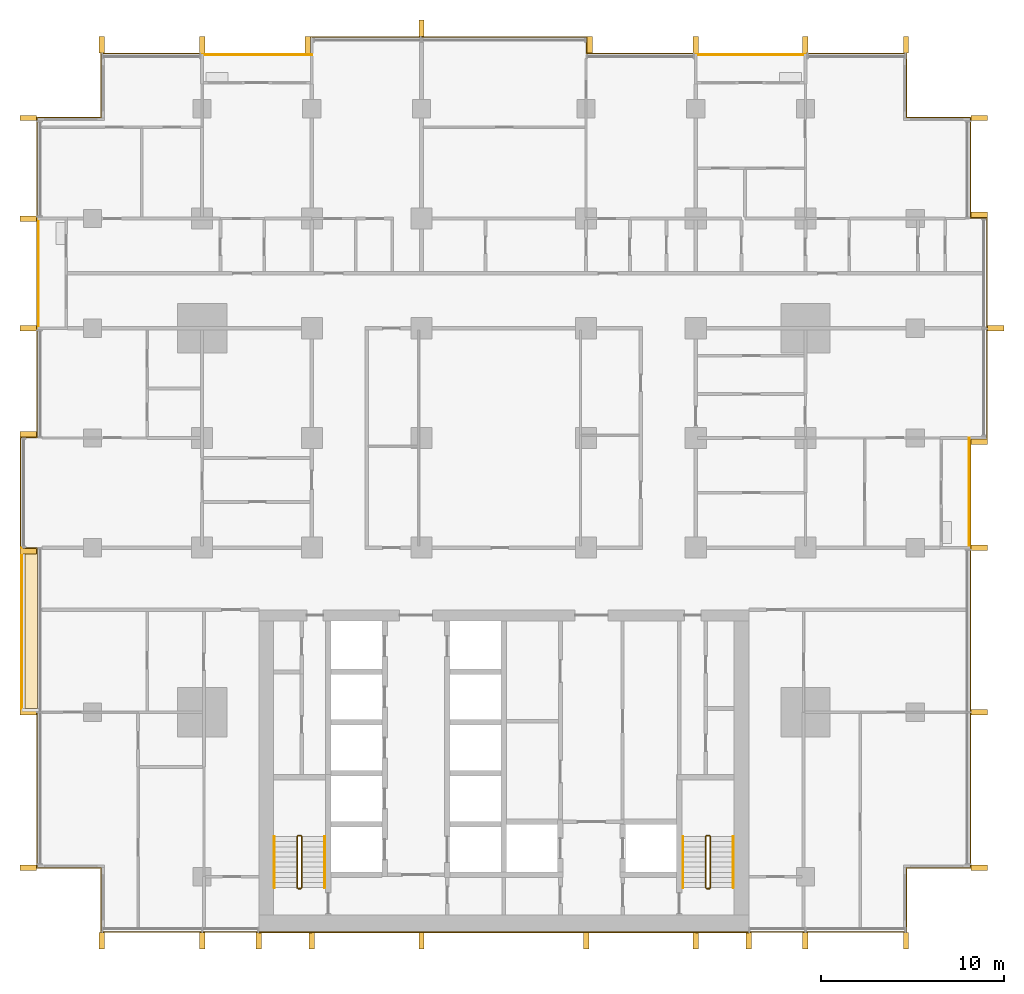
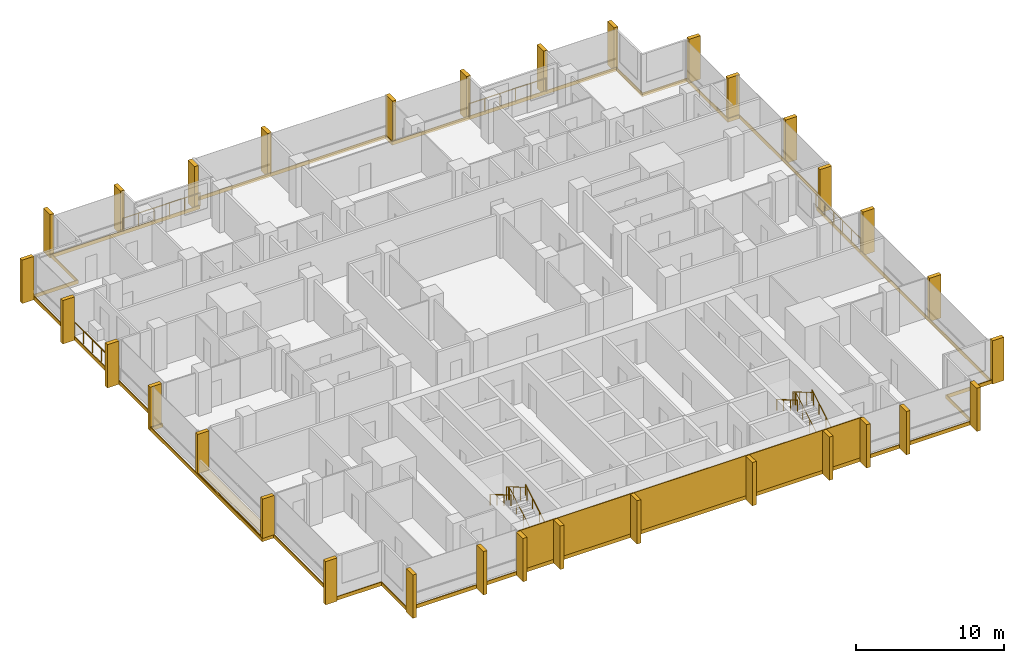
# One storey, part 18 of 18: 32 shading devices, 10 railings, 8 coverings.
"""IFC4 building model written with IfcOpenShell, lengths in metres."""

from ifc_helpers import new_model, si_unit, direction, frame, origin, origin_2d, place, context, subcontext, project, spatial, polyline, rectangle, circle, outline, extrude, material, layer, layer_set, type_object, element, save


model = new_model("IFC4")

# Units and contexts
model_context = context("Model", 3, precision=1e-05, world=origin(), true_north=direction((0.0, 1.0)))
body_context = subcontext(model_context, "Body", "Model", "MODEL_VIEW")
ifc_project = project(units=[si_unit("LENGTHUNIT", "METRE"), si_unit("AREAUNIT", "SQUARE_METRE"), si_unit("VOLUMEUNIT", "CUBIC_METRE"), si_unit("PLANEANGLEUNIT", "RADIAN"), si_unit("MASSUNIT", "GRAM", prefix="KILO")], contexts=[model_context])

# Site, building, storey
site_placement = place(None, origin())
site = spatial("IfcSite", under=ifc_project, at=site_placement, CompositionType="ELEMENT")
building_placement = place(site_placement, origin())
building = spatial("IfcBuilding", under=site, at=building_placement, Name="Finial Court Residences", CompositionType="ELEMENT")
storey_placement = place(building_placement, frame((0.0, 0.0, 106.300048828125)))
storey = spatial("IfcBuildingStorey", under=building, at=storey_placement, Name="L26", CompositionType="ELEMENT", Elevation=106.300048828125)

# Railings
ifc_material_1 = material(Name="Bronze anodised aluminium", Category="aluminium")
railing_type_1 = type_object("IfcRailingType", Name="Balcony guard 1100", PredefinedType="GUARDRAIL", material=ifc_material_1)
for number, where, name in (
    (1, (-16.5, 22.449951171875, 0.0), "E-L26-BALN2-R"),
    (2, (10.5, 22.449951171875, 0.0), "E-L26-BALN6-R"),
):
    element("IfcRailing", number, at=place(storey_placement, frame(where)), inside=storey, type_object=railing_type_1, Name=name, PredefinedType="GUARDRAIL", context=body_context, shape_type="SweptSolid", body=[
        extrude(circle(Radius=0.02392578125, at=origin_2d()), frame((0.0, 0.0, 1.076171875), z_axis=(1.0, 0.0, 0.0), x_axis=(0.0, 1.0, 0.0)), (0.0, 0.0, 1.0), 6.0),
        extrude(circle(Radius=0.02099609375, at=origin_2d()), origin(), (0.0, 0.0, 1.0), 1.052001953125),
        extrude(circle(Radius=0.02099609375, at=origin_2d()), frame((1.199951171875, 0.0, 0.0)), (0.0, 0.0, 1.0), 1.052001953125),
        extrude(circle(Radius=0.02099609375, at=origin_2d()), frame((2.39990234375, 0.0, 0.0)), (0.0, 0.0, 1.0), 1.052001953125),
        extrude(circle(Radius=0.02099609375, at=origin_2d()), frame((3.60009765625, 0.0, 0.0)), (0.0, 0.0, 1.0), 1.052001953125),
        extrude(circle(Radius=0.02099609375, at=origin_2d()), frame((4.800048828125, 0.0, 0.0)), (0.0, 0.0, 1.0), 1.052001953125),
        extrude(circle(Radius=0.02099609375, at=origin_2d()), frame((6.0, 0.0, 0.0)), (0.0, 0.0, 1.0), 1.052001953125),
    ])
for number, where, name in (
    (3, (25.449951171875, -4.5, 0.0), "E-L26-BALE3-R"),
    (4, (-25.449951171875, 7.5, 0.0), "E-L26-BALW5-R"),
):
    element("IfcRailing", number, at=place(storey_placement, frame(where)), inside=storey, type_object=railing_type_1, Name=name, PredefinedType="GUARDRAIL", context=body_context, shape_type="SweptSolid", body=[
        extrude(circle(Radius=0.02392578125, at=origin_2d()), frame((0.0, 0.0, 1.076171875), z_axis=(0.0, 1.0, 0.0), x_axis=(-1.0, 0.0, 0.0)), (0.0, 0.0, 1.0), 6.0),
        extrude(circle(Radius=0.02099609375, at=origin_2d()), origin(), (0.0, 0.0, 1.0), 1.052001953125),
        extrude(circle(Radius=0.02099609375, at=origin_2d()), frame((0.0, 1.199951171875, 0.0)), (0.0, 0.0, 1.0), 1.052001953125),
        extrude(circle(Radius=0.02099609375, at=origin_2d()), frame((0.0, 2.39990234375, 0.0)), (0.0, 0.0, 1.0), 1.052001953125),
        extrude(circle(Radius=0.02099609375, at=origin_2d()), frame((0.0, 3.60009765625, 0.0)), (0.0, 0.0, 1.0), 1.052001953125),
        extrude(circle(Radius=0.02099609375, at=origin_2d()), frame((0.0, 4.800048828125, 0.0)), (0.0, 0.0, 1.0), 1.052001953125),
        extrude(circle(Radius=0.02099609375, at=origin_2d()), frame((0.0, 6.0, 0.0)), (0.0, 0.0, 1.0), 1.052001953125),
    ])

# Coverings
ifc_material_2 = material(Name="Natural limestone", Category="masonry")
ifc_layer_1 = layer(ifc_material_2, 0.06005859375)
ifc_layer_set_1 = layer_set([ifc_layer_1], Name="Limestone cladding to the blind core face 60")
covering_type_1 = type_object("IfcCoveringType", Name="Limestone cladding to the blind core face 60", PredefinedType="CLADDING", material=ifc_layer_set_1)
covering_1_placement = place(storey_placement, origin())
element("IfcCovering", 5, at=covering_1_placement, inside=storey, type_object=covering_type_1, Name="E-L26-CLAD1", PredefinedType="CLADDING", context=body_context, shape_type="SweptSolid", body=[
    extrude(outline(polyline([(-10.5, -25.56005859375), (-10.5, -25.5), (-13.39990234375, -25.5), (-13.39990234375, -25.56005859375), (-10.5, -25.56005859375)])), origin(), (0.0, 0.0, 1.0), 3.300048828125),
])
covering_2_placement = place(storey_placement, origin())
element("IfcCovering", 6, at=covering_2_placement, inside=storey, type_object=covering_type_1, Name="E-L26-CLAD2", PredefinedType="CLADDING", context=body_context, shape_type="SweptSolid", body=[
    extrude(outline(polyline([(-4.5, -25.56005859375), (-4.5, -25.5), (-10.5, -25.5), (-10.5, -25.56005859375), (-4.5, -25.56005859375)])), origin(), (0.0, 0.0, 1.0), 3.300048828125),
])
covering_3_placement = place(storey_placement, origin())
element("IfcCovering", 7, at=covering_3_placement, inside=storey, type_object=covering_type_1, Name="E-L26-CLAD3", PredefinedType="CLADDING", context=body_context, shape_type="SweptSolid", body=[
    extrude(outline(polyline([(4.5, -25.56005859375), (4.5, -25.5), (-4.5, -25.5), (-4.5, -25.56005859375), (4.5, -25.56005859375)])), origin(), (0.0, 0.0, 1.0), 3.300048828125),
])
covering_4_placement = place(storey_placement, origin())
element("IfcCovering", 8, at=covering_4_placement, inside=storey, type_object=covering_type_1, Name="E-L26-CLAD4", PredefinedType="CLADDING", context=body_context, shape_type="SweptSolid", body=[
    extrude(outline(polyline([(10.5, -25.56005859375), (10.5, -25.5), (4.5, -25.5), (4.5, -25.56005859375), (10.5, -25.56005859375)])), origin(), (0.0, 0.0, 1.0), 3.300048828125),
])
covering_5_placement = place(storey_placement, origin())
element("IfcCovering", 9, at=covering_5_placement, inside=storey, type_object=covering_type_1, Name="E-L26-CLAD5", PredefinedType="CLADDING", context=body_context, shape_type="SweptSolid", body=[
    extrude(outline(polyline([(13.39990234375, -25.56005859375), (13.39990234375, -25.5), (10.5, -25.5), (10.5, -25.56005859375), (13.39990234375, -25.56005859375)])), origin(), (0.0, 0.0, 1.0), 3.300048828125),
])

# Shading devices
shading_device_type = type_object("IfcShadingDeviceType", Name="Limestone fin 300 x 900", PredefinedType="USERDEFINED", material=ifc_material_2)
for number, where, z_axis, x_axis, name in (
    (10, (-22.0, 23.010009765625, -0.300048828125), (0.0, 0.0, 1.0), (1.0, 0.0, 0.0), "E-L26-FIN-N1"),
    (11, (-16.5, 23.010009765625, -0.300048828125), (0.0, 0.0, 1.0), (1.0, 0.0, 0.0), "E-L26-FIN-N2"),
    (12, (-10.7099609375, 23.010009765625, -0.300048828125), (0.0, 0.0, 1.0), (1.0, 0.0, 0.0), "E-L26-FIN-N3"),
    (13, (-4.5, 23.909912109375, -0.300048828125), (0.0, 0.0, 1.0), (1.0, 0.0, 0.0), "E-L26-FIN-N4"),
    (14, (4.7099609375, 23.010009765625, -0.300048828125), (0.0, 0.0, 1.0), (1.0, 0.0, 0.0), "E-L26-FIN-N5"),
    (15, (10.5, 23.010009765625, -0.300048828125), (0.0, 0.0, 1.0), (1.0, 0.0, 0.0), "E-L26-FIN-N6"),
    (16, (16.5, 23.010009765625, -0.300048828125), (0.0, 0.0, 1.0), (1.0, 0.0, 0.0), "E-L26-FIN-N7"),
    (17, (22.0, 23.010009765625, -0.300048828125), (0.0, 0.0, 1.0), (1.0, 0.0, 0.0), "E-L26-FIN-N8"),
):
    element("IfcShadingDevice", number, at=place(storey_placement, frame(where, z_axis=z_axis, x_axis=x_axis)), inside=storey, type_object=shading_device_type, Name=name, ObjectType="FIN", PredefinedType="USERDEFINED", context=body_context, shape_type="SweptSolid", body=[
        extrude(rectangle(XDim=0.300048828125, YDim=0.89990234375, at=origin_2d()), origin(), (0.0, 0.0, 1.0), 3.580078125),
    ])
for number, where, z_axis, x_axis, name in (
    (18, (26.010009765625, -22.0, -0.300048828125), (0.0, 0.0, 1.0), (1.0, 0.0, 0.0), "E-L26-FIN-E9"),
    (19, (26.010009765625, -13.5, -0.300048828125), (0.0, 0.0, 1.0), (1.0, 0.0, 0.0), "E-L26-FIN-E10"),
    (20, (26.010009765625, -4.5, -0.300048828125), (0.0, 0.0, 1.0), (1.0, 0.0, 0.0), "E-L26-FIN-E11"),
    (21, (26.010009765625, 1.2900390625, -0.300048828125), (0.0, 0.0, 1.0), (1.0, 0.0, 0.0), "E-L26-FIN-E12"),
    (22, (26.909912109375, 7.5, -0.300048828125), (0.0, 0.0, 1.0), (1.0, 0.0, 0.0), "E-L26-FIN-E13"),
    (23, (26.010009765625, 13.7099609375, -0.300048828125), (0.0, 0.0, 1.0), (1.0, 0.0, 0.0), "E-L26-FIN-E14"),
    (24, (26.010009765625, 19.0, -0.300048828125), (0.0, 0.0, 1.0), (1.0, 0.0, 0.0), "E-L26-FIN-E15"),
):
    element("IfcShadingDevice", number, at=place(storey_placement, frame(where, z_axis=z_axis, x_axis=x_axis)), inside=storey, type_object=shading_device_type, Name=name, ObjectType="FIN", PredefinedType="USERDEFINED", context=body_context, shape_type="SweptSolid", body=[
        extrude(rectangle(XDim=0.89990234375, YDim=0.300048828125, at=origin_2d()), origin(), (0.0, 0.0, 1.0), 3.580078125),
    ])
for number, where, z_axis, x_axis, name in (
    (25, (-22.0, -26.010009765625, -0.300048828125), (0.0, 0.0, 1.0), (1.0, 0.0, 0.0), "E-L26-FIN-S16"),
    (26, (-16.5, -26.010009765625, -0.300048828125), (0.0, 0.0, 1.0), (1.0, 0.0, 0.0), "E-L26-FIN-S17"),
    (27, (-13.39990234375, -26.010009765625, -0.300048828125), (0.0, 0.0, 1.0), (1.0, 0.0, 0.0), "E-L26-FIN-S18"),
    (28, (-10.5, -26.010009765625, -0.300048828125), (0.0, 0.0, 1.0), (1.0, 0.0, 0.0), "E-L26-FIN-S19"),
    (29, (-4.5, -26.010009765625, -0.300048828125), (0.0, 0.0, 1.0), (1.0, 0.0, 0.0), "E-L26-FIN-S20"),
    (30, (4.5, -26.010009765625, -0.300048828125), (0.0, 0.0, 1.0), (1.0, 0.0, 0.0), "E-L26-FIN-S21"),
    (31, (10.5, -26.010009765625, -0.300048828125), (0.0, 0.0, 1.0), (1.0, 0.0, 0.0), "E-L26-FIN-S22"),
    (32, (13.39990234375, -26.010009765625, -0.300048828125), (0.0, 0.0, 1.0), (1.0, 0.0, 0.0), "E-L26-FIN-S23"),
    (33, (16.5, -26.010009765625, -0.300048828125), (0.0, 0.0, 1.0), (1.0, 0.0, 0.0), "E-L26-FIN-S24"),
    (34, (22.0, -26.010009765625, -0.300048828125), (0.0, 0.0, 1.0), (1.0, 0.0, 0.0), "E-L26-FIN-S25"),
):
    element("IfcShadingDevice", number, at=place(storey_placement, frame(where, z_axis=z_axis, x_axis=x_axis)), inside=storey, type_object=shading_device_type, Name=name, ObjectType="FIN", PredefinedType="USERDEFINED", context=body_context, shape_type="SweptSolid", body=[
        extrude(rectangle(XDim=0.300048828125, YDim=0.89990234375, at=origin_2d()), origin(), (0.0, 0.0, 1.0), 3.580078125),
    ])
shading_device_placement = place(storey_placement, frame((-26.010009765625, -22.0, -0.300048828125), z_axis=(0.0, 0.0, 1.0), x_axis=(1.0, 0.0, 0.0)))
element("IfcShadingDevice", 35, at=shading_device_placement, inside=storey, type_object=shading_device_type, Name="E-L26-FIN-W26", ObjectType="FIN", PredefinedType="USERDEFINED", context=body_context, shape_type="SweptSolid", body=[
    extrude(rectangle(XDim=0.89990234375, YDim=0.300048828125, at=origin_2d()), origin(), (0.0, 0.0, 1.0), 3.580078125),
])
for number, where, z_axis, x_axis, name in (
    (36, (-26.010009765625, -13.5, 0.0400390625), (0.0, 0.0, 1.0), (1.0, 0.0, 0.0), "E-L26-FIN-W27"),
    (37, (-26.010009765625, -4.7099609375, 0.0400390625), (0.0, 0.0, 1.0), (1.0, 0.0, 0.0), "E-L26-FIN-W28"),
):
    element("IfcShadingDevice", number, at=place(storey_placement, frame(where, z_axis=z_axis, x_axis=x_axis)), inside=storey, type_object=shading_device_type, Name=name, ObjectType="FIN", PredefinedType="USERDEFINED", context=body_context, shape_type="SweptSolid", body=[
        extrude(rectangle(XDim=0.89990234375, YDim=0.300048828125, at=origin_2d()), origin(), (0.0, 0.0, 1.0), 3.239990234375),
    ])
for number, where, z_axis, x_axis, name in (
    (38, (-26.010009765625, 1.7099609375, -0.300048828125), (0.0, 0.0, 1.0), (1.0, 0.0, 0.0), "E-L26-FIN-W29"),
    (39, (-26.010009765625, 7.5, -0.300048828125), (0.0, 0.0, 1.0), (1.0, 0.0, 0.0), "E-L26-FIN-W30"),
    (40, (-26.010009765625, 13.5, -0.300048828125), (0.0, 0.0, 1.0), (1.0, 0.0, 0.0), "E-L26-FIN-W31"),
    (41, (-26.010009765625, 19.0, -0.300048828125), (0.0, 0.0, 1.0), (1.0, 0.0, 0.0), "E-L26-FIN-W32"),
):
    element("IfcShadingDevice", number, at=place(storey_placement, frame(where, z_axis=z_axis, x_axis=x_axis)), inside=storey, type_object=shading_device_type, Name=name, ObjectType="FIN", PredefinedType="USERDEFINED", context=body_context, shape_type="SweptSolid", body=[
        extrude(rectangle(XDim=0.89990234375, YDim=0.300048828125, at=origin_2d()), origin(), (0.0, 0.0, 1.0), 3.580078125),
    ])

# Coverings
ifc_material_3 = material(Name="Pale limestone", Category="masonry")
ifc_layer_2 = layer(ifc_material_3, 0.06005859375)
ifc_layer_set_2 = layer_set([ifc_layer_2], Name="Pale limestone slab-edge band 60")
covering_type_2 = type_object("IfcCoveringType", Name="Pale limestone slab-edge band 60", PredefinedType="CLADDING", material=ifc_layer_set_2)
covering_6_placement = place(storey_placement, frame((0.0, 0.0, -0.300048828125)))
element("IfcCovering", 42, at=covering_6_placement, inside=storey, type_object=covering_type_2, Name="E-L26-BAND1", PredefinedType="CLADDING", context=body_context, shape_type="SweptSolid", body=[
    extrude(outline(polyline([(-25.56005859375, 1.56005859375), (-25.56005859375, 19.06005859375), (-22.06005859375, 19.06005859375), (-22.06005859375, 22.56005859375), (-10.56005859375, 22.56005859375), (-10.56005859375, 23.4599609375), (4.56005859375, 23.4599609375), (4.56005859375, 22.56005859375), (22.06005859375, 22.56005859375), (22.06005859375, 19.06005859375), (25.56005859375, 19.06005859375), (25.56005859375, 13.56005859375), (26.4599609375, 13.56005859375), (26.4599609375, 1.43994140625), (25.56005859375, 1.43994140625), (25.56005859375, -22.06005859375), (22.06005859375, -22.06005859375), (22.06005859375, -25.56005859375), (-22.06005859375, -25.56005859375), (-22.06005859375, -22.06005859375), (-25.56005859375, -22.06005859375), (-25.56005859375, -13.56005859375), (-26.4599609375, -13.56005859375), (-26.4599609375, 1.56005859375), (-25.56005859375, 1.56005859375)]), holes=[polyline([(-26.39990234375, -13.5), (-25.5, -13.5), (-25.5, -22.0), (-22.0, -22.0), (-22.0, -25.5), (22.0, -25.5), (22.0, -22.0), (25.5, -22.0), (25.5, -4.5), (25.5, 1.5), (26.39990234375, 1.5), (26.39990234375, 7.5), (26.39990234375, 13.5), (25.5, 13.5), (25.5, 19.0), (22.0, 19.0), (22.0, 22.5), (16.5, 22.5), (10.5, 22.5), (4.5, 22.5), (4.5, 23.39990234375), (-4.5, 23.39990234375), (-10.5, 23.39990234375), (-10.5, 22.5), (-16.5, 22.5), (-22.0, 22.5), (-22.0, 19.0), (-25.5, 19.0), (-25.5, 13.5), (-25.5, 7.5), (-25.5, 1.5), (-26.39990234375, 1.5), (-26.39990234375, -4.5), (-26.39990234375, -13.5)])]), origin(), (0.0, 0.0, 1.0), 0.300048828125),
])
ifc_material_4 = material(Name="Bitumen membrane")
ifc_layer_3 = layer(ifc_material_4, 0.0400390625)
ifc_layer_set_3 = layer_set([ifc_layer_3], Name="Push box roofing, bitumen membrane 40")
covering_type_3 = type_object("IfcCoveringType", Name="Push box roofing, bitumen membrane 40", PredefinedType="ROOFING", material=ifc_layer_set_3)
covering_7_placement = place(storey_placement, origin())
element("IfcCovering", 43, at=covering_7_placement, inside=storey, type_object=covering_type_3, Name="E-L26-LED1", PredefinedType="ROOFING", context=body_context, shape_type="SweptSolid", body=[
    extrude(outline(polyline([(-25.5, -13.300048828125), (-26.199951171875, -13.300048828125), (-26.199951171875, -4.5), (-25.5, -4.5), (-25.5, -13.300048828125)])), origin(), (0.0, 0.0, 1.0), 0.0400390625),
])
covering_8_placement = place(storey_placement, origin())
element("IfcCovering", 44, at=covering_8_placement, inside=storey, type_object=covering_type_3, Name="E-L26-LED1b", PredefinedType="ROOFING", context=body_context, shape_type="SweptSolid", body=[
    extrude(outline(polyline([(-25.5, -13.5), (-26.39990234375, -13.5), (-26.39990234375, -4.5), (-26.35009765625, -4.5), (-26.35009765625, -13.300048828125), (-26.35009765625, -13.300048828125), (-26.35009765625, -13.449951171875), (-25.5, -13.449951171875), (-25.5, -13.5)])), origin(), (0.0, 0.0, 1.0), 0.0400390625),
])

# Railings
ifc_material_5 = material(Name="Stainless steel railing", Category="steel")
railing_type_2 = type_object("IfcRailingType", Name="Stair guard 1100", PredefinedType="GUARDRAIL", material=ifc_material_5)
railing_1_placement = place(storey_placement, frame((-11.10009765625, -23.14990234375, 0.0)))
element("IfcRailing", 45, at=railing_1_placement, inside=storey, type_object=railing_type_2, Name="L26 ST-1 stair guard 1", PredefinedType="GUARDRAIL", context=body_context, shape_type="SweptSolid", body=[
    extrude(circle(Radius=0.02392578125, at=origin_2d()), frame((0.0, 0.0, 1.076171875), z_axis=(-1.0, 0.0, 0.0), x_axis=(0.0, -1.0, 0.0)), (0.0, 0.0, 1.0), 0.14990234375),
    extrude(circle(Radius=0.02392578125, at=origin_2d()), frame((-0.14990234375, 0.0, 1.076171875), z_axis=(0.760004195007, 0.189305074214, 0.621737253547), x_axis=(-0.241699205484, 0.970351222016, 0.0)), (0.0, 0.0, 1.0), 0.26318359375),
    extrude(circle(Radius=0.02392578125, at=origin_2d()), frame((0.050048828125, 0.0498046875, 1.23974609375), z_axis=(0.0, 0.863360870873, 0.504586966384), x_axis=(-1.0, 0.0, 0.0)), (0.0, 0.0, 1.0), 3.2431640625),
    extrude(circle(Radius=0.02392578125, at=origin_2d()), frame((0.050048828125, 2.849853515625, 2.8759765625), z_axis=(-0.707106781187, 0.707106781187, 0.0), x_axis=(-0.707106781187, -0.707106781187, 0.0)), (0.0, 0.0, 1.0), 0.07080078125),
    extrude(circle(Radius=0.02392578125, at=origin_2d()), frame((0.0, 2.89990234375, 2.8759765625), z_axis=(-1.0, 0.0, 0.0), x_axis=(0.0, -1.0, 0.0)), (0.0, 0.0, 1.0), 0.14990234375),
    extrude(circle(Radius=0.02392578125, at=origin_2d()), frame((-0.14990234375, 2.89990234375, 2.8759765625), z_axis=(-0.280808744504, -0.280808744504, 0.917765164963), x_axis=(0.707106781187, -0.707106781187, 0.0)), (0.0, 0.0, 1.0), 0.17822265625),
    extrude(circle(Radius=0.02392578125, at=origin_2d()), frame((-0.199951171875, 2.849853515625, 3.03955078125), z_axis=(0.0, -0.863393664356, 0.504530851732), x_axis=(1.0, 0.0, 0.0)), (0.0, 0.0, 1.0), 3.2431640625),
    extrude(circle(Radius=0.02099609375, at=origin_2d()), origin(), (0.0, 0.0, 1.0), 1.052001953125),
    extrude(circle(Radius=0.02099609375, at=origin_2d()), frame((-0.14990234375, 0.0, 0.0)), (0.0, 0.0, 1.0), 1.052001953125),
    extrude(circle(Radius=0.02099609375, at=origin_2d()), frame((0.050048828125, 0.0498046875, 0.16357421875)), (0.0, 0.0, 1.0), 1.052001953125),
    extrude(circle(Radius=0.02099609375, at=origin_2d()), frame((0.050048828125, 0.983154296875, 0.708984375)), (0.0, 0.0, 1.0), 1.052001953125),
    extrude(circle(Radius=0.02099609375, at=origin_2d()), frame((0.050048828125, 1.91650390625, 1.254638671875)), (0.0, 0.0, 1.0), 1.052001953125),
    extrude(circle(Radius=0.02099609375, at=origin_2d()), frame((0.050048828125, 2.849853515625, 1.800048828125)), (0.0, 0.0, 1.0), 1.052001953125),
    extrude(circle(Radius=0.02099609375, at=origin_2d()), frame((0.0, 2.89990234375, 1.800048828125)), (0.0, 0.0, 1.0), 1.052001953125),
    extrude(circle(Radius=0.02099609375, at=origin_2d()), frame((-0.14990234375, 2.89990234375, 1.800048828125)), (0.0, 0.0, 1.0), 1.052001953125),
    extrude(circle(Radius=0.02099609375, at=origin_2d()), frame((-0.199951171875, 2.849853515625, 1.963623046875)), (0.0, 0.0, 1.0), 1.052001953125),
    extrude(circle(Radius=0.02099609375, at=origin_2d()), frame((-0.199951171875, 1.91650390625, 2.509033203125)), (0.0, 0.0, 1.0), 1.052001953125),
    extrude(circle(Radius=0.02099609375, at=origin_2d()), frame((-0.199951171875, 0.983154296875, 3.054443359375)), (0.0, 0.0, 1.0), 1.052001953125),
    extrude(circle(Radius=0.02099609375, at=origin_2d()), frame((-0.199951171875, 0.0498046875, 3.599853515625)), (0.0, 0.0, 1.0), 1.052001953125),
])
railing_2_placement = place(storey_placement, frame((11.25, -23.14990234375, 0.0)))
element("IfcRailing", 46, at=railing_2_placement, inside=storey, type_object=railing_type_2, Name="L26 ST-2 stair guard 1", PredefinedType="GUARDRAIL", context=body_context, shape_type="SweptSolid", body=[
    extrude(circle(Radius=0.02392578125, at=origin_2d()), frame((0.0, 0.0, 1.076171875), z_axis=(-1.0, 0.0, 0.0), x_axis=(0.0, -1.0, 0.0)), (0.0, 0.0, 1.0), 0.14990234375),
    extrude(circle(Radius=0.02392578125, at=origin_2d()), frame((-0.14990234375, 0.0, 1.076171875), z_axis=(0.760004195007, 0.189305074214, 0.621737253547), x_axis=(-0.241699205484, 0.970351222016, 0.0)), (0.0, 0.0, 1.0), 0.26318359375),
    extrude(circle(Radius=0.02392578125, at=origin_2d()), frame((0.050048828125, 0.0498046875, 1.23974609375), z_axis=(0.0, 0.863360870873, 0.504586966384), x_axis=(-1.0, 0.0, 0.0)), (0.0, 0.0, 1.0), 3.2431640625),
    extrude(circle(Radius=0.02392578125, at=origin_2d()), frame((0.050048828125, 2.849853515625, 2.8759765625), z_axis=(-0.707106781187, 0.707106781187, 0.0), x_axis=(-0.707106781187, -0.707106781187, 0.0)), (0.0, 0.0, 1.0), 0.07080078125),
    extrude(circle(Radius=0.02392578125, at=origin_2d()), frame((0.0, 2.89990234375, 2.8759765625), z_axis=(-1.0, 0.0, 0.0), x_axis=(0.0, -1.0, 0.0)), (0.0, 0.0, 1.0), 0.14990234375),
    extrude(circle(Radius=0.02392578125, at=origin_2d()), frame((-0.14990234375, 2.89990234375, 2.8759765625), z_axis=(-0.280808744504, -0.280808744504, 0.917765164963), x_axis=(0.707106781187, -0.707106781187, 0.0)), (0.0, 0.0, 1.0), 0.17822265625),
    extrude(circle(Radius=0.02392578125, at=origin_2d()), frame((-0.199951171875, 2.849853515625, 3.03955078125), z_axis=(0.0, -0.863393664356, 0.504530851732), x_axis=(1.0, 0.0, 0.0)), (0.0, 0.0, 1.0), 3.2431640625),
    extrude(circle(Radius=0.02099609375, at=origin_2d()), origin(), (0.0, 0.0, 1.0), 1.052001953125),
    extrude(circle(Radius=0.02099609375, at=origin_2d()), frame((-0.14990234375, 0.0, 0.0)), (0.0, 0.0, 1.0), 1.052001953125),
    extrude(circle(Radius=0.02099609375, at=origin_2d()), frame((0.050048828125, 0.0498046875, 0.16357421875)), (0.0, 0.0, 1.0), 1.052001953125),
    extrude(circle(Radius=0.02099609375, at=origin_2d()), frame((0.050048828125, 0.983154296875, 0.708984375)), (0.0, 0.0, 1.0), 1.052001953125),
    extrude(circle(Radius=0.02099609375, at=origin_2d()), frame((0.050048828125, 1.91650390625, 1.254638671875)), (0.0, 0.0, 1.0), 1.052001953125),
    extrude(circle(Radius=0.02099609375, at=origin_2d()), frame((0.050048828125, 2.849853515625, 1.800048828125)), (0.0, 0.0, 1.0), 1.052001953125),
    extrude(circle(Radius=0.02099609375, at=origin_2d()), frame((0.0, 2.89990234375, 1.800048828125)), (0.0, 0.0, 1.0), 1.052001953125),
    extrude(circle(Radius=0.02099609375, at=origin_2d()), frame((-0.14990234375, 2.89990234375, 1.800048828125)), (0.0, 0.0, 1.0), 1.052001953125),
    extrude(circle(Radius=0.02099609375, at=origin_2d()), frame((-0.199951171875, 2.849853515625, 1.963623046875)), (0.0, 0.0, 1.0), 1.052001953125),
    extrude(circle(Radius=0.02099609375, at=origin_2d()), frame((-0.199951171875, 1.91650390625, 2.509033203125)), (0.0, 0.0, 1.0), 1.052001953125),
    extrude(circle(Radius=0.02099609375, at=origin_2d()), frame((-0.199951171875, 0.983154296875, 3.054443359375)), (0.0, 0.0, 1.0), 1.052001953125),
    extrude(circle(Radius=0.02099609375, at=origin_2d()), frame((-0.199951171875, 0.0498046875, 3.599853515625)), (0.0, 0.0, 1.0), 1.052001953125),
])
railing_type_3 = type_object("IfcRailingType", Name="Stair handrail 900", PredefinedType="HANDRAIL", material=ifc_material_5)
railing_3_placement = place(storey_placement, frame((-9.800048828125, -23.10009765625, 0.16357421875)))
element("IfcRailing", 47, at=railing_3_placement, inside=storey, type_object=railing_type_3, Name="L26 ST-1 stair handrail 1", PredefinedType="HANDRAIL", context=body_context, shape_type="SweptSolid", body=[
    extrude(circle(Radius=0.02392578125, at=origin_2d()), frame((0.0, 0.0, 0.8759765625), z_axis=(0.0, 0.863360870873, 0.504586966384), x_axis=(-1.0, 0.0, 0.0)), (0.0, 0.0, 1.0), 3.2431640625),
    extrude(circle(Radius=0.02099609375, at=origin_2d()), origin(), (0.0, 0.0, 1.0), 0.851806640625),
    extrude(circle(Radius=0.02099609375, at=origin_2d()), frame((0.0, 0.933349609375, 0.54541015625)), (0.0, 0.0, 1.0), 0.851806640625),
    extrude(circle(Radius=0.02099609375, at=origin_2d()), frame((0.0, 1.86669921875, 1.091064453125)), (0.0, 0.0, 1.0), 0.851806640625),
    extrude(circle(Radius=0.02099609375, at=origin_2d()), frame((0.0, 2.800048828125, 1.636474609375)), (0.0, 0.0, 1.0), 0.851806640625),
])
railing_4_placement = place(storey_placement, frame((-12.550048828125, -20.300048828125, 1.963623046875)))
element("IfcRailing", 48, at=railing_4_placement, inside=storey, type_object=railing_type_3, Name="L26 ST-1 stair handrail 2", PredefinedType="HANDRAIL", context=body_context, shape_type="SweptSolid", body=[
    extrude(circle(Radius=0.02392578125, at=origin_2d()), frame((0.0, 0.0, 0.8759765625), z_axis=(0.0, -0.863393664356, 0.504530851732), x_axis=(1.0, 0.0, 0.0)), (0.0, 0.0, 1.0), 3.2431640625),
    extrude(circle(Radius=0.02099609375, at=origin_2d()), origin(), (0.0, 0.0, 1.0), 0.851806640625),
    extrude(circle(Radius=0.02099609375, at=origin_2d()), frame((0.0, -0.933349609375, 0.54541015625)), (0.0, 0.0, 1.0), 0.851806640625),
    extrude(circle(Radius=0.02099609375, at=origin_2d()), frame((0.0, -1.86669921875, 1.0908203125)), (0.0, 0.0, 1.0), 0.851806640625),
    extrude(circle(Radius=0.02099609375, at=origin_2d()), frame((0.0, -2.800048828125, 1.63623046875)), (0.0, 0.0, 1.0), 0.851806640625),
])
railing_5_placement = place(storey_placement, frame((12.550048828125, -23.10009765625, 0.16357421875)))
element("IfcRailing", 49, at=railing_5_placement, inside=storey, type_object=railing_type_3, Name="L26 ST-2 stair handrail 1", PredefinedType="HANDRAIL", context=body_context, shape_type="SweptSolid", body=[
    extrude(circle(Radius=0.02392578125, at=origin_2d()), frame((0.0, 0.0, 0.8759765625), z_axis=(0.0, 0.863360870873, 0.504586966384), x_axis=(-1.0, 0.0, 0.0)), (0.0, 0.0, 1.0), 3.2431640625),
    extrude(circle(Radius=0.02099609375, at=origin_2d()), origin(), (0.0, 0.0, 1.0), 0.851806640625),
    extrude(circle(Radius=0.02099609375, at=origin_2d()), frame((0.0, 0.933349609375, 0.54541015625)), (0.0, 0.0, 1.0), 0.851806640625),
    extrude(circle(Radius=0.02099609375, at=origin_2d()), frame((0.0, 1.86669921875, 1.091064453125)), (0.0, 0.0, 1.0), 0.851806640625),
    extrude(circle(Radius=0.02099609375, at=origin_2d()), frame((0.0, 2.800048828125, 1.636474609375)), (0.0, 0.0, 1.0), 0.851806640625),
])
railing_6_placement = place(storey_placement, frame((9.800048828125, -20.300048828125, 1.963623046875)))
element("IfcRailing", 50, at=railing_6_placement, inside=storey, type_object=railing_type_3, Name="L26 ST-2 stair handrail 2", PredefinedType="HANDRAIL", context=body_context, shape_type="SweptSolid", body=[
    extrude(circle(Radius=0.02392578125, at=origin_2d()), frame((0.0, 0.0, 0.8759765625), z_axis=(0.0, -0.863393664356, 0.504530851732), x_axis=(1.0, 0.0, 0.0)), (0.0, 0.0, 1.0), 3.2431640625),
    extrude(circle(Radius=0.02099609375, at=origin_2d()), origin(), (0.0, 0.0, 1.0), 0.851806640625),
    extrude(circle(Radius=0.02099609375, at=origin_2d()), frame((0.0, -0.933349609375, 0.54541015625)), (0.0, 0.0, 1.0), 0.851806640625),
    extrude(circle(Radius=0.02099609375, at=origin_2d()), frame((0.0, -1.86669921875, 1.0908203125)), (0.0, 0.0, 1.0), 0.851806640625),
    extrude(circle(Radius=0.02099609375, at=origin_2d()), frame((0.0, -2.800048828125, 1.63623046875)), (0.0, 0.0, 1.0), 0.851806640625),
])

save(model, "model.ifc")
